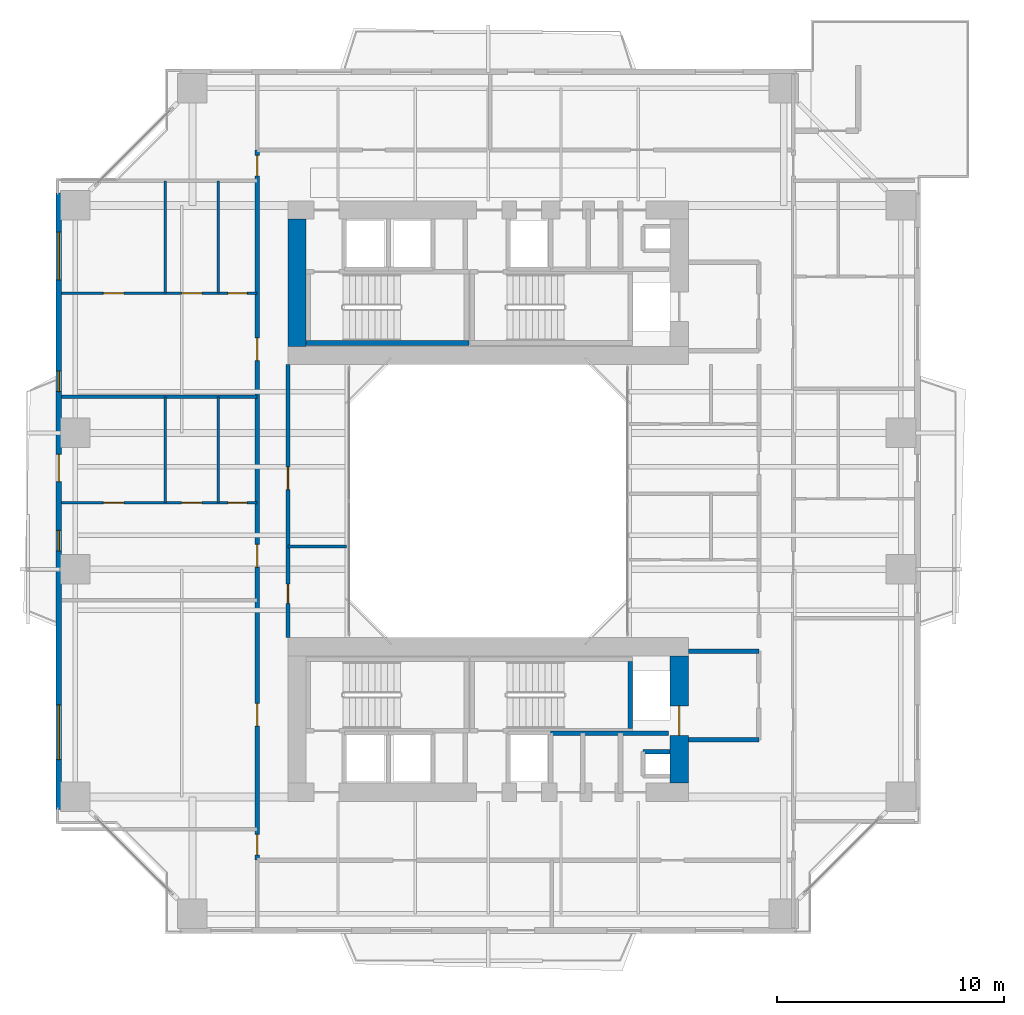
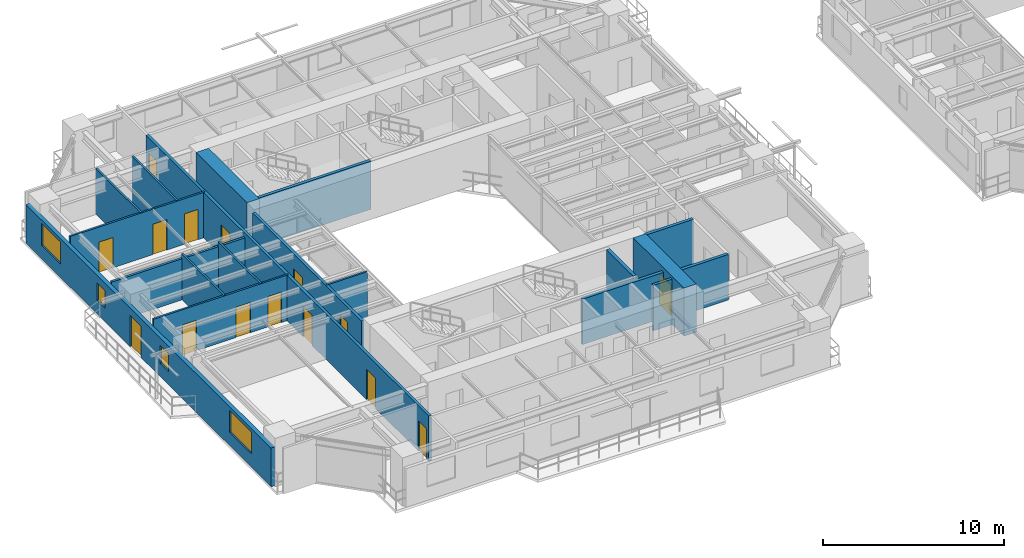
# One storey, part 13 of 23: 19 walls, 15 doors, 4 windows, 19 openings.
"""IFC4 building model written with IfcOpenShell, lengths in metres."""

from ifc_helpers import new_model, si_unit, direction, frame, frame_2d, origin, place, context, subcontext, project, spatial, rectangle, extrude, source, transform, mapped, material, layer, layer_set, type_object, element, fill, save


model = new_model("IFC4")

# Units and contexts
model_context = context("Model", 3, precision=1e-05, world=origin(), true_north=direction((0.0, 1.0)))
body_context = subcontext(model_context, "Body", "Model", "MODEL_VIEW")
ifc_project = project(units=[si_unit("LENGTHUNIT", "METRE"), si_unit("AREAUNIT", "SQUARE_METRE"), si_unit("VOLUMEUNIT", "CUBIC_METRE"), si_unit("PLANEANGLEUNIT", "RADIAN"), si_unit("MASSUNIT", "GRAM", prefix="KILO"), si_unit("THERMODYNAMICTEMPERATUREUNIT", "KELVIN"), si_unit("POWERUNIT", "WATT")], contexts=[model_context])

# Site, building, storey
site_placement = place(None, origin())
site = spatial("IfcSite", under=ifc_project, at=site_placement, CompositionType="ELEMENT")
building_placement = place(site_placement, origin())
building = spatial("IfcBuilding", under=site, at=building_placement, Name="Qiaomeng Ring Towers", CompositionType="ELEMENT")
storey_placement = place(building_placement, frame((0.0, 0.0, 82.75)))
storey = spatial("IfcBuildingStorey", under=building, at=storey_placement, Name="L23", CompositionType="ELEMENT", Elevation=82.75)

# Wall, openings, windows, door
ifc_material_1 = material(Name="Precast concrete C40", Category="concrete")
ifc_layer_1 = layer(ifc_material_1, 0.25, Name="Precast concrete C40")
ifc_layer_set_1 = layer_set([ifc_layer_1], Name="Precast concrete C40")
wall_type_1 = type_object("IfcWallType", Name="ARC-WL-EW1", PredefinedType="STANDARD", material=ifc_layer_set_1)
wall_1_placement = place(storey_placement, frame((0.125, 9.449951171875, 0.0), z_axis=(0.0, 0.0, 1.0), x_axis=(0.0, 1.0, 0.0)))
wall_1 = element("IfcWall", 1, at=wall_1_placement, inside=storey, type_object=wall_type_1, Name="L23 Tower 1 W Exterior Wall", PredefinedType="STANDARD", context=body_context, shape_type="SweptSolid", body=[
    extrude(rectangle(XDim=27.10009765625, YDim=0.25, at=frame_2d((13.550048828125, 0.0))), origin(), (0.0, 0.0, 1.0), 2.610107421875),
])
opening_1_placement = place(wall_1_placement, frame((14.39990234375, 0.0, 0.0)))
opening_1 = element("IfcOpeningElement", 2, at=opening_1_placement, cuts=wall_1, Name="Opening BD1", PredefinedType="OPENING", context=body_context, shape_type="SweptSolid", body=[
    extrude(rectangle(XDim=1.199951171875, YDim=2.10009765625, at=frame_2d((0.60009765625, 1.050048828125))), frame((0.0, 0.135009765625, 0.0), z_axis=(0.0, -1.0, 0.0), x_axis=(1.0, 0.0, 0.0)), (0.0, 0.0, 1.0), 0.27001953125),
])
opening_2_placement = place(wall_1_placement, frame((2.18798828125, 0.0, 0.89990234375)))
opening_2 = element("IfcOpeningElement", 3, at=opening_2_placement, cuts=wall_1, Name="Opening WN6", PredefinedType="OPENING", context=body_context, shape_type="SweptSolid", body=[
    extrude(rectangle(XDim=2.39990234375, YDim=1.47998046875, at=frame_2d((1.199951171875, 0.739990234375))), frame((0.0, 0.135009765625, 0.0), z_axis=(0.0, -1.0, 0.0), x_axis=(1.0, 0.0, 0.0)), (0.0, 0.0, 1.0), 0.27001953125),
])
opening_3_placement = place(wall_1_placement, frame((23.2724609375, 0.0, 0.89990234375)))
opening_3 = element("IfcOpeningElement", 4, at=opening_3_placement, cuts=wall_1, Name="Opening WN4", PredefinedType="OPENING", context=body_context, shape_type="SweptSolid", body=[
    extrude(rectangle(XDim=2.10009765625, YDim=1.5, at=frame_2d((1.050048828125, 0.75))), frame((0.0, 0.135009765625, 0.0), z_axis=(0.0, -1.0, 0.0), x_axis=(1.0, 0.0, 0.0)), (0.0, 0.0, 1.0), 0.27001953125),
])
opening_4_placement = place(wall_1_placement, frame((11.364990234375, 0.0, 0.89990234375)))
opening_4 = element("IfcOpeningElement", 5, at=opening_4_placement, cuts=wall_1, Name="Opening WN5", PredefinedType="OPENING", context=body_context, shape_type="SweptSolid", body=[
    extrude(rectangle(XDim=0.89990234375, YDim=1.199951171875, at=frame_2d((0.449951171875, 0.60009765625))), frame((0.0, 0.135009765625, 0.0), z_axis=(0.0, -1.0, 0.0), x_axis=(1.0, 0.0, 0.0)), (0.0, 0.0, 1.0), 0.27001953125),
])
opening_5_placement = place(wall_1_placement, frame((18.364990234375, 0.0, 0.89990234375)))
opening_5 = element("IfcOpeningElement", 6, at=opening_5_placement, cuts=wall_1, Name="Opening WN5", PredefinedType="OPENING", context=body_context, shape_type="SweptSolid", body=[
    extrude(rectangle(XDim=0.89990234375, YDim=1.199951171875, at=frame_2d((0.449951171875, 0.60009765625))), frame((0.0, 0.135009765625, 0.0), z_axis=(0.0, -1.0, 0.0), x_axis=(1.0, 0.0, 0.0)), (0.0, 0.0, 1.0), 0.27001953125),
])
ifc_material_2 = material(Name="Low-E dark-grey laminated double glazing", Category="glass")
window_type_1 = type_object("IfcWindowType", Name="ARC-WN-4", PartitioningType="TRIPLE_PANEL_VERTICAL", PredefinedType="WINDOW", material=ifc_material_2)
shared_shape_1 = source(origin(), body_context, "Body", "SweptSolid", [
    extrude(rectangle(XDim=2.10009765625, YDim=1.5, at=frame_2d((1.050048828125, 0.75))), frame((0.0, 0.030029296875, 0.0), z_axis=(0.0, -1.0, 0.0), x_axis=(1.0, 0.0, 0.0)), (0.0, 0.0, 1.0), 0.06005859375),
])
window_1_placement = place(opening_3_placement, origin())
window_1 = element("IfcWindow", 7, at=window_1_placement, inside=storey, type_object=window_type_1, Name="L23 Exterior Window WN4", OverallHeight=1.5, OverallWidth=2.10009765625, PartitioningType="TRIPLE_PANEL_VERTICAL", PredefinedType="WINDOW", context=body_context, shape_type="MappedRepresentation", body=[
    mapped(shared_shape_1, transform((0.0, 0.0, 0.0), x_axis=(1.0, 0.0, 0.0), y_axis=(0.0, 1.0, 0.0), z_axis=(0.0, 0.0, 1.0), scale=1.0)),
])
fill(opening_3, window_1)
window_type_2 = type_object("IfcWindowType", Name="ARC-WN-6", PartitioningType="TRIPLE_PANEL_VERTICAL", PredefinedType="WINDOW", material=ifc_material_2)
shared_shape_2 = source(origin(), body_context, "Body", "SweptSolid", [
    extrude(rectangle(XDim=2.39990234375, YDim=1.47998046875, at=frame_2d((1.199951171875, 0.739990234375))), frame((0.0, 0.030029296875, 0.0), z_axis=(0.0, -1.0, 0.0), x_axis=(1.0, 0.0, 0.0)), (0.0, 0.0, 1.0), 0.06005859375),
])
window_2_placement = place(opening_2_placement, origin())
window_2 = element("IfcWindow", 8, at=window_2_placement, inside=storey, type_object=window_type_2, Name="L23 Exterior Window WN6", OverallHeight=1.47998046875, OverallWidth=2.39990234375, PartitioningType="TRIPLE_PANEL_VERTICAL", PredefinedType="WINDOW", context=body_context, shape_type="MappedRepresentation", body=[
    mapped(shared_shape_2, transform((0.0, 0.0, 0.0), x_axis=(1.0, 0.0, 0.0), y_axis=(0.0, 1.0, 0.0), z_axis=(0.0, 0.0, 1.0), scale=1.0)),
])
fill(opening_2, window_2)
door_type_1 = type_object("IfcDoorType", Name="ARC-DR-BD1", OperationType="NOTDEFINED", PredefinedType="DOOR", material=ifc_material_2)
shared_shape_3 = source(origin(), body_context, "Body", "SweptSolid", [
    extrude(rectangle(XDim=1.199951171875, YDim=2.10009765625, at=frame_2d((0.60009765625, 1.050048828125))), frame((0.0, 0.02490234375, 0.0), z_axis=(0.0, -1.0, 0.0), x_axis=(1.0, 0.0, 0.0)), (0.0, 0.0, 1.0), 0.050048828125),
])
door_1_placement = place(opening_1_placement, frame((1.199951171875, 0.0, 0.0), z_axis=(0.0, 0.0, 1.0), x_axis=(-1.0, 0.0, 0.0)))
door_1 = element("IfcDoor", 9, at=door_1_placement, inside=storey, type_object=door_type_1, Name="L23 W Balcony Glazed Door", OperationType="SINGLE_SWING_LEFT", OverallHeight=2.10009765625, OverallWidth=1.199951171875, PredefinedType="DOOR", context=body_context, shape_type="MappedRepresentation", body=[
    mapped(shared_shape_3, transform((0.0, 0.0, 0.0), x_axis=(1.0, 0.0, 0.0), y_axis=(0.0, 1.0, 0.0), z_axis=(0.0, 0.0, 1.0), scale=1.0)),
])
fill(opening_1, door_1)
window_type_3 = type_object("IfcWindowType", Name="ARC-WN-5", PartitioningType="SINGLE_PANEL", PredefinedType="WINDOW", material=ifc_material_2)
shared_shape_4 = source(origin(), body_context, "Body", "SweptSolid", [
    extrude(rectangle(XDim=0.89990234375, YDim=1.199951171875, at=frame_2d((0.449951171875, 0.60009765625))), frame((0.0, 0.030029296875, 0.0), z_axis=(0.0, -1.0, 0.0), x_axis=(1.0, 0.0, 0.0)), (0.0, 0.0, 1.0), 0.06005859375),
])
window_3_placement = place(opening_4_placement, origin())
window_3 = element("IfcWindow", 10, at=window_3_placement, inside=storey, type_object=window_type_3, Name="L23 Exterior Window WN5", OverallHeight=1.199951171875, OverallWidth=0.89990234375, PartitioningType="SINGLE_PANEL", PredefinedType="WINDOW", context=body_context, shape_type="MappedRepresentation", body=[
    mapped(shared_shape_4, transform((0.0, 0.0, 0.0), x_axis=(1.0, 0.0, 0.0), y_axis=(0.0, 1.0, 0.0), z_axis=(0.0, 0.0, 1.0), scale=1.0)),
])
fill(opening_4, window_3)
window_4_placement = place(opening_5_placement, origin())
window_4 = element("IfcWindow", 11, at=window_4_placement, inside=storey, type_object=window_type_3, Name="L23 Exterior Window WN5", OverallHeight=1.199951171875, OverallWidth=0.89990234375, PartitioningType="SINGLE_PANEL", PredefinedType="WINDOW", context=body_context, shape_type="MappedRepresentation", body=[
    mapped(shared_shape_4, transform((0.0, 0.0, 0.0), x_axis=(1.0, 0.0, 0.0), y_axis=(0.0, 1.0, 0.0), z_axis=(0.0, 0.0, 1.0), scale=1.0)),
])
fill(opening_5, window_4)

# Walls
ifc_material_3 = material(Name="Autoclaved aerated concrete block", Category="concrete")
ifc_layer_2 = layer(ifc_material_3, 0.199951171875, Name="Autoclaved aerated concrete block")
ifc_layer_set_2 = layer_set([ifc_layer_2], Name="Autoclaved aerated concrete block")
wall_type_2 = type_object("IfcWallType", Name="ARC-WL-PW1", PredefinedType="PARTITIONING", material=ifc_layer_set_2)
for number, where, z_axis, x_axis, name in (
    (12, (27.800048828125, 16.39990234375, 0.0), (0.0, 0.0, 1.0), (1.0, 0.0, 0.0), "L23 Interior Wall PW1"),
    (13, (27.800048828125, 12.5, 0.0), (0.0, 0.0, 1.0), (1.0, 0.0, 0.0), "L23 Interior Wall PW1"),
):
    element("IfcWall", number, at=place(storey_placement, frame(where, z_axis=z_axis, x_axis=x_axis)), inside=storey, type_object=wall_type_2, Name=name, PredefinedType="PARTITIONING", context=body_context, shape_type="SweptSolid", body=[
        extrude(rectangle(XDim=3.099853515625, YDim=0.199951171875, at=frame_2d((1.5498046875, 0.0))), origin(), (0.0, 0.0, 1.0), 3.070068359375),
    ])
wall_2_placement = place(storey_placement, frame((21.75, 12.800048828125, 0.0), z_axis=(0.0, 0.0, 1.0), x_axis=(1.0, 0.0, 0.0)))
element("IfcWall", 14, at=wall_2_placement, inside=storey, type_object=wall_type_2, Name="L23 Interior Wall PW1", PredefinedType="PARTITIONING", context=body_context, shape_type="SweptSolid", body=[
    extrude(rectangle(XDim=5.169921875, YDim=0.199951171875, at=frame_2d((2.5849609375, 0.0))), origin(), (0.0, 0.0, 1.0), 3.070068359375),
])

# Wall, openings, doors
ifc_layer_3 = layer(ifc_material_3, 0.179931640625, Name="Autoclaved aerated concrete block")
ifc_layer_set_3 = layer_set([ifc_layer_3], Name="Autoclaved aerated concrete block")
wall_type_3 = type_object("IfcWallType", Name="ARC-WL-PW2", PredefinedType="PARTITIONING", material=ifc_layer_set_3)
wall_3_placement = place(storey_placement, frame((8.85009765625, 7.2099609375, 0.0), z_axis=(0.0, 0.0, 1.0), x_axis=(0.0, 1.0, 0.0)))
wall_3 = element("IfcWall", 15, at=wall_3_placement, inside=storey, type_object=wall_type_3, Name="L23 Interior Wall PW2", PredefinedType="PARTITIONING", context=body_context, shape_type="SweptSolid", body=[
    extrude(rectangle(XDim=31.22998046875, YDim=0.179931640625, at=frame_2d((15.614990234375, 0.0))), origin(), (0.0, 0.0, 1.0), 3.070068359375),
])
opening_6_placement = place(wall_3_placement, frame((30.090087890625, 0.0, 0.0)))
opening_6 = element("IfcOpeningElement", 16, at=opening_6_placement, cuts=wall_3, Name="Opening ID1", PredefinedType="OPENING", context=body_context, shape_type="SweptSolid", body=[
    extrude(rectangle(XDim=0.89990234375, YDim=2.050048828125, at=frame_2d((0.449951171875, 1.02490234375))), frame((0.0, 0.099853515625, 0.0), z_axis=(0.0, -1.0, 0.0), x_axis=(1.0, 0.0, 0.0)), (0.0, 0.0, 1.0), 0.199951171875),
])
opening_7_placement = place(wall_3_placement, frame((0.239990234375, 0.0, 0.0)))
opening_7 = element("IfcOpeningElement", 17, at=opening_7_placement, cuts=wall_3, Name="Opening ID1", PredefinedType="OPENING", context=body_context, shape_type="SweptSolid", body=[
    extrude(rectangle(XDim=0.89990234375, YDim=2.050048828125, at=frame_2d((0.449951171875, 1.02490234375))), frame((0.0, 0.099853515625, 0.0), z_axis=(0.0, -1.0, 0.0), x_axis=(1.0, 0.0, 0.0)), (0.0, 0.0, 1.0), 0.199951171875),
])
opening_8_placement = place(wall_3_placement, frame((5.89501953125, 0.0, 0.0)))
opening_8 = element("IfcOpeningElement", 18, at=opening_8_placement, cuts=wall_3, Name="Opening FD4", PredefinedType="OPENING", context=body_context, shape_type="SweptSolid", body=[
    extrude(rectangle(XDim=1.0, YDim=2.050048828125, at=frame_2d((0.5, 1.02490234375))), frame((0.0, 0.099853515625, 0.0), z_axis=(0.0, -1.0, 0.0), x_axis=(1.0, 0.0, 0.0)), (0.0, 0.0, 1.0), 0.199951171875),
])
opening_9_placement = place(wall_3_placement, frame((12.885009765625, 0.0, 0.0)))
opening_9 = element("IfcOpeningElement", 19, at=opening_9_placement, cuts=wall_3, Name="Opening FD4", PredefinedType="OPENING", context=body_context, shape_type="SweptSolid", body=[
    extrude(rectangle(XDim=1.0, YDim=2.050048828125, at=frame_2d((0.5, 1.02490234375))), frame((0.0, 0.099853515625, 0.0), z_axis=(0.0, -1.0, 0.0), x_axis=(1.0, 0.0, 0.0)), (0.0, 0.0, 1.0), 0.199951171875),
])
opening_10_placement = place(wall_3_placement, frame((21.9599609375, 0.0, 0.0)))
opening_10 = element("IfcOpeningElement", 20, at=opening_10_placement, cuts=wall_3, Name="Opening FD4", PredefinedType="OPENING", context=body_context, shape_type="SweptSolid", body=[
    extrude(rectangle(XDim=1.0, YDim=2.050048828125, at=frame_2d((0.5, 1.02490234375))), frame((0.0, 0.099853515625, 0.0), z_axis=(0.0, -1.0, 0.0), x_axis=(1.0, 0.0, 0.0)), (0.0, 0.0, 1.0), 0.199951171875),
])
ifc_material_4 = material(Name="Engineered fire-rated oak timber", Category="wood")
door_type_2 = type_object("IfcDoorType", Name="ARC-DR-FD4", OperationType="NOTDEFINED", PredefinedType="DOOR", material=ifc_material_4)
shared_shape_5 = source(origin(), body_context, "Body", "SweptSolid", [
    extrude(rectangle(XDim=1.0, YDim=2.050048828125, at=frame_2d((0.5, 1.02490234375))), frame((0.0, 0.02490234375, 0.0), z_axis=(0.0, -1.0, 0.0), x_axis=(1.0, 0.0, 0.0)), (0.0, 0.0, 1.0), 0.050048828125),
])
door_2_placement = place(opening_8_placement, origin())
door_2 = element("IfcDoor", 21, at=door_2_placement, inside=storey, type_object=door_type_2, Name="L23 Door FD4", OperationType="SINGLE_SWING_LEFT", OverallHeight=2.050048828125, OverallWidth=1.0, PredefinedType="DOOR", context=body_context, shape_type="MappedRepresentation", body=[
    mapped(shared_shape_5, transform((0.0, 0.0, 0.0), x_axis=(1.0, 0.0, 0.0), y_axis=(0.0, 1.0, 0.0), z_axis=(0.0, 0.0, 1.0), scale=1.0)),
])
fill(opening_8, door_2)
door_3_placement = place(opening_9_placement, origin())
door_3 = element("IfcDoor", 22, at=door_3_placement, inside=storey, type_object=door_type_2, Name="L23 Door FD4", OperationType="SINGLE_SWING_LEFT", OverallHeight=2.050048828125, OverallWidth=1.0, PredefinedType="DOOR", context=body_context, shape_type="MappedRepresentation", body=[
    mapped(shared_shape_5, transform((0.0, 0.0, 0.0), x_axis=(1.0, 0.0, 0.0), y_axis=(0.0, 1.0, 0.0), z_axis=(0.0, 0.0, 1.0), scale=1.0)),
])
fill(opening_9, door_3)
door_4_placement = place(opening_10_placement, origin())
door_4 = element("IfcDoor", 23, at=door_4_placement, inside=storey, type_object=door_type_2, Name="L23 Door FD4", OperationType="SINGLE_SWING_LEFT", OverallHeight=2.050048828125, OverallWidth=1.0, PredefinedType="DOOR", context=body_context, shape_type="MappedRepresentation", body=[
    mapped(shared_shape_5, transform((0.0, 0.0, 0.0), x_axis=(1.0, 0.0, 0.0), y_axis=(0.0, 1.0, 0.0), z_axis=(0.0, 0.0, 1.0), scale=1.0)),
])
fill(opening_10, door_4)
ifc_material_5 = material(Name="Engineered oak timber", Category="wood")
door_type_3 = type_object("IfcDoorType", Name="ARC-DR-ID1", OperationType="NOTDEFINED", PredefinedType="DOOR", material=ifc_material_5)
shared_shape_6 = source(origin(), body_context, "Body", "SweptSolid", [
    extrude(rectangle(XDim=0.89990234375, YDim=2.050048828125, at=frame_2d((0.449951171875, 1.02490234375))), frame((0.0, 0.02490234375, 0.0), z_axis=(0.0, -1.0, 0.0), x_axis=(1.0, 0.0, 0.0)), (0.0, 0.0, 1.0), 0.050048828125),
])
door_5_placement = place(opening_6_placement, origin())
door_5 = element("IfcDoor", 24, at=door_5_placement, inside=storey, type_object=door_type_3, Name="L23 Door ID1", OperationType="SINGLE_SWING_LEFT", OverallHeight=2.050048828125, OverallWidth=0.89990234375, PredefinedType="DOOR", context=body_context, shape_type="MappedRepresentation", body=[
    mapped(shared_shape_6, transform((0.0, 0.0, 0.0), x_axis=(1.0, 0.0, 0.0), y_axis=(0.0, 1.0, 0.0), z_axis=(0.0, 0.0, 1.0), scale=1.0)),
])
fill(opening_6, door_5)
door_6_placement = place(opening_7_placement, origin())
door_6 = element("IfcDoor", 25, at=door_6_placement, inside=storey, type_object=door_type_3, Name="L23 Door ID1", OperationType="SINGLE_SWING_RIGHT", OverallHeight=2.050048828125, OverallWidth=0.89990234375, PredefinedType="DOOR", context=body_context, shape_type="MappedRepresentation", body=[
    mapped(shared_shape_6, transform((0.0, 0.0, 0.0), x_axis=(1.0, 0.0, 0.0), y_axis=(0.0, 1.0, 0.0), z_axis=(0.0, 0.0, 1.0), scale=1.0)),
])
fill(opening_7, door_6)

wall_4_placement = place(storey_placement, frame((10.199951171875, 17.0, 0.0), z_axis=(0.0, 0.0, 1.0), x_axis=(0.0, 1.0, 0.0)))
wall_4 = element("IfcWall", 26, at=wall_4_placement, inside=storey, type_object=wall_type_3, Name="L23 Interior Wall PW2", PredefinedType="PARTITIONING", context=body_context, shape_type="SweptSolid", body=[
    extrude(rectangle(XDim=12.0, YDim=0.179931640625, at=frame_2d((6.0, 0.0))), origin(), (0.0, 0.0, 1.0), 3.070068359375),
])
opening_11_placement = place(wall_4_placement, frame((1.5, 0.0, 0.0)))
opening_11 = element("IfcOpeningElement", 27, at=opening_11_placement, cuts=wall_4, Name="Opening ID2", PredefinedType="OPENING", context=body_context, shape_type="SweptSolid", body=[
    extrude(rectangle(XDim=0.85009765625, YDim=2.050048828125, at=frame_2d((0.425048828125, 1.02490234375))), frame((0.0, 0.099853515625, 0.0), z_axis=(0.0, -1.0, 0.0), x_axis=(1.0, 0.0, 0.0)), (0.0, 0.0, 1.0), 0.199951171875),
])
opening_12_placement = place(wall_4_placement, frame((6.5, 0.0, 0.0)))
opening_12 = element("IfcOpeningElement", 28, at=opening_12_placement, cuts=wall_4, Name="Opening FD4", PredefinedType="OPENING", context=body_context, shape_type="SweptSolid", body=[
    extrude(rectangle(XDim=1.0, YDim=2.050048828125, at=frame_2d((0.5, 1.02490234375))), frame((0.0, 0.099853515625, 0.0), z_axis=(0.0, -1.0, 0.0), x_axis=(1.0, 0.0, 0.0)), (0.0, 0.0, 1.0), 0.199951171875),
])
door_7_placement = place(opening_12_placement, origin())
door_7 = element("IfcDoor", 29, at=door_7_placement, inside=storey, type_object=door_type_2, Name="L23 Door FD4", OperationType="SINGLE_SWING_LEFT", OverallHeight=2.050048828125, OverallWidth=1.0, PredefinedType="DOOR", context=body_context, shape_type="MappedRepresentation", body=[
    mapped(shared_shape_5, transform((0.0, 0.0, 0.0), x_axis=(1.0, 0.0, 0.0), y_axis=(0.0, 1.0, 0.0), z_axis=(0.0, 0.0, 1.0), scale=1.0)),
])
fill(opening_12, door_7)
ifc_material_6 = material(Name="Moisture-resistant engineered timber", Category="wood")
door_type_4 = type_object("IfcDoorType", Name="ARC-DR-ID2", OperationType="NOTDEFINED", PredefinedType="DOOR", material=ifc_material_6)
shared_shape_7 = source(origin(), body_context, "Body", "SweptSolid", [
    extrude(rectangle(XDim=0.85009765625, YDim=2.050048828125, at=frame_2d((0.425048828125, 1.02490234375))), frame((0.0, 0.02490234375, 0.0), z_axis=(0.0, -1.0, 0.0), x_axis=(1.0, 0.0, 0.0)), (0.0, 0.0, 1.0), 0.050048828125),
])
door_8_placement = place(opening_11_placement, origin())
door_8 = element("IfcDoor", 30, at=door_8_placement, inside=storey, type_object=door_type_4, Name="L23 Door ID2", OperationType="SINGLE_SWING_RIGHT", OverallHeight=2.050048828125, OverallWidth=0.85009765625, PredefinedType="DOOR", context=body_context, shape_type="MappedRepresentation", body=[
    mapped(shared_shape_7, transform((0.0, 0.0, 0.0), x_axis=(1.0, 0.0, 0.0), y_axis=(0.0, 1.0, 0.0), z_axis=(0.0, 0.0, 1.0), scale=1.0)),
])
fill(opening_11, door_8)

# Wall
ifc_material_7 = material(Name="Gypsum fireboard steel-stud partition", Category="steel")
ifc_layer_4 = layer(ifc_material_7, 0.14990234375, Name="Gypsum fireboard steel-stud partition")
ifc_layer_set_4 = layer_set([ifc_layer_4], Name="Gypsum fireboard steel-stud partition")
wall_type_4 = type_object("IfcWallType", Name="ARC-WL-PW3", PredefinedType="PARTITIONING", material=ifc_layer_set_4)
wall_5_placement = place(storey_placement, frame((0.25, 27.580078125, 0.0), z_axis=(0.0, 0.0, 1.0), x_axis=(1.0, 0.0, 0.0)))
element("IfcWall", 31, at=wall_5_placement, inside=storey, type_object=wall_type_4, Name="L23 Interior Wall PW3", PredefinedType="PARTITIONING", context=body_context, shape_type="SweptSolid", body=[
    extrude(rectangle(XDim=8.60009765625, YDim=0.14990234375, at=frame_2d((4.300048828125, 0.0))), origin(), (0.0, 0.0, 1.0), 2.77099609375),
])

# Wall, openings, doors
ifc_material_8 = material(Name="Moisture-resistant gypsum steel-stud partition", Category="steel")
ifc_layer_5 = layer(ifc_material_8, 0.1201171875, Name="Moisture-resistant gypsum steel-stud partition")
ifc_layer_set_5 = layer_set([ifc_layer_5], Name="Moisture-resistant gypsum steel-stud partition")
wall_type_5 = type_object("IfcWallType", Name="ARC-WL-PW4", PredefinedType="PLUMBINGWALL", material=ifc_layer_set_5)
wall_6_placement = place(storey_placement, frame((0.25, 22.929931640625, 0.0), z_axis=(0.0, 0.0, 1.0), x_axis=(1.0, 0.0, 0.0)))
wall_6 = element("IfcWall", 32, at=wall_6_placement, inside=storey, type_object=wall_type_5, Name="L23 Interior Wall PW4", PredefinedType="PLUMBINGWALL", context=body_context, shape_type="SweptSolid", body=[
    extrude(rectangle(XDim=8.60009765625, YDim=0.1201171875, at=frame_2d((4.300048828125, 0.0))), origin(), (0.0, 0.0, 1.0), 3.070068359375),
])
opening_13_placement = place(wall_6_placement, frame((1.840087890625, 0.0, 0.0)))
opening_13 = element("IfcOpeningElement", 33, at=opening_13_placement, cuts=wall_6, Name="Opening ID1", PredefinedType="OPENING", context=body_context, shape_type="SweptSolid", body=[
    extrude(rectangle(XDim=0.89990234375, YDim=2.050048828125, at=frame_2d((0.449951171875, 1.02490234375))), frame((0.0, 0.070068359375, 0.0), z_axis=(0.0, -1.0, 0.0), x_axis=(1.0, 0.0, 0.0)), (0.0, 0.0, 1.0), 0.14013671875),
])
opening_14_placement = place(wall_6_placement, frame((5.27001953125, 0.0, 0.0)))
opening_14 = element("IfcOpeningElement", 34, at=opening_14_placement, cuts=wall_6, Name="Opening ID1", PredefinedType="OPENING", context=body_context, shape_type="SweptSolid", body=[
    extrude(rectangle(XDim=0.89990234375, YDim=2.050048828125, at=frame_2d((0.449951171875, 1.02490234375))), frame((0.0, 0.070068359375, 0.0), z_axis=(0.0, -1.0, 0.0), x_axis=(1.0, 0.0, 0.0)), (0.0, 0.0, 1.0), 0.14013671875),
])
opening_15_placement = place(wall_6_placement, frame((7.304931640625, 0.0, 0.0)))
opening_15 = element("IfcOpeningElement", 35, at=opening_15_placement, cuts=wall_6, Name="Opening ID2", PredefinedType="OPENING", context=body_context, shape_type="SweptSolid", body=[
    extrude(rectangle(XDim=0.85009765625, YDim=2.050048828125, at=frame_2d((0.425048828125, 1.02490234375))), frame((0.0, 0.070068359375, 0.0), z_axis=(0.0, -1.0, 0.0), x_axis=(1.0, 0.0, 0.0)), (0.0, 0.0, 1.0), 0.14013671875),
])
door_9_placement = place(opening_15_placement, origin())
door_9 = element("IfcDoor", 36, at=door_9_placement, inside=storey, type_object=door_type_4, Name="L23 Door ID2", OperationType="SINGLE_SWING_RIGHT", OverallHeight=2.050048828125, OverallWidth=0.85009765625, PredefinedType="DOOR", context=body_context, shape_type="MappedRepresentation", body=[
    mapped(shared_shape_7, transform((0.0, 0.0, 0.0), x_axis=(1.0, 0.0, 0.0), y_axis=(0.0, 1.0, 0.0), z_axis=(0.0, 0.0, 1.0), scale=1.0)),
])
fill(opening_15, door_9)
door_10_placement = place(opening_13_placement, origin())
door_10 = element("IfcDoor", 37, at=door_10_placement, inside=storey, type_object=door_type_3, Name="L23 Door ID1", OperationType="SINGLE_SWING_RIGHT", OverallHeight=2.050048828125, OverallWidth=0.89990234375, PredefinedType="DOOR", context=body_context, shape_type="MappedRepresentation", body=[
    mapped(shared_shape_6, transform((0.0, 0.0, 0.0), x_axis=(1.0, 0.0, 0.0), y_axis=(0.0, 1.0, 0.0), z_axis=(0.0, 0.0, 1.0), scale=1.0)),
])
fill(opening_13, door_10)
door_11_placement = place(opening_14_placement, origin())
door_11 = element("IfcDoor", 38, at=door_11_placement, inside=storey, type_object=door_type_3, Name="L23 Door ID1", OperationType="SINGLE_SWING_LEFT", OverallHeight=2.050048828125, OverallWidth=0.89990234375, PredefinedType="DOOR", context=body_context, shape_type="MappedRepresentation", body=[
    mapped(shared_shape_6, transform((0.0, 0.0, 0.0), x_axis=(1.0, 0.0, 0.0), y_axis=(0.0, 1.0, 0.0), z_axis=(0.0, 0.0, 1.0), scale=1.0)),
])
fill(opening_14, door_11)

# Walls
for number, where, z_axis, x_axis, name in (
    (39, (4.81005859375, 22.929931640625, 0.0), (0.0, 0.0, 1.0), (0.0, 1.0, 0.0), "L23 Interior Wall PW4"),
    (40, (7.1298828125, 22.929931640625, 0.0), (0.0, 0.0, 1.0), (0.0, 1.0, 0.0), "L23 Interior Wall PW4"),
):
    element("IfcWall", number, at=place(storey_placement, frame(where, z_axis=z_axis, x_axis=x_axis)), inside=storey, type_object=wall_type_5, Name=name, PredefinedType="PLUMBINGWALL", context=body_context, shape_type="SweptSolid", body=[
        extrude(rectangle(XDim=4.650146484375, YDim=0.1201171875, at=frame_2d((2.3251953125, 0.0))), origin(), (0.0, 0.0, 1.0), 3.070068359375),
    ])

# Wall, openings, doors
wall_7_placement = place(storey_placement, frame((0.25, 32.139892578125, 0.0), z_axis=(0.0, 0.0, 1.0), x_axis=(1.0, 0.0, 0.0)))
wall_7 = element("IfcWall", 41, at=wall_7_placement, inside=storey, type_object=wall_type_5, Name="L23 Interior Wall PW4", PredefinedType="PLUMBINGWALL", context=body_context, shape_type="SweptSolid", body=[
    extrude(rectangle(XDim=8.60009765625, YDim=0.1201171875, at=frame_2d((4.300048828125, 0.0))), origin(), (0.0, 0.0, 1.0), 3.070068359375),
])
opening_16_placement = place(wall_7_placement, frame((1.840087890625, 0.0, 0.0)))
opening_16 = element("IfcOpeningElement", 42, at=opening_16_placement, cuts=wall_7, Name="Opening ID1", PredefinedType="OPENING", context=body_context, shape_type="SweptSolid", body=[
    extrude(rectangle(XDim=0.89990234375, YDim=2.050048828125, at=frame_2d((0.449951171875, 1.02490234375))), frame((0.0, 0.070068359375, 0.0), z_axis=(0.0, -1.0, 0.0), x_axis=(1.0, 0.0, 0.0)), (0.0, 0.0, 1.0), 0.14013671875),
])
opening_17_placement = place(wall_7_placement, frame((5.27001953125, 0.0, 0.0)))
opening_17 = element("IfcOpeningElement", 43, at=opening_17_placement, cuts=wall_7, Name="Opening ID1", PredefinedType="OPENING", context=body_context, shape_type="SweptSolid", body=[
    extrude(rectangle(XDim=0.89990234375, YDim=2.050048828125, at=frame_2d((0.449951171875, 1.02490234375))), frame((0.0, 0.070068359375, 0.0), z_axis=(0.0, -1.0, 0.0), x_axis=(1.0, 0.0, 0.0)), (0.0, 0.0, 1.0), 0.14013671875),
])
opening_18_placement = place(wall_7_placement, frame((7.304931640625, 0.0, 0.0)))
opening_18 = element("IfcOpeningElement", 44, at=opening_18_placement, cuts=wall_7, Name="Opening ID2", PredefinedType="OPENING", context=body_context, shape_type="SweptSolid", body=[
    extrude(rectangle(XDim=0.85009765625, YDim=2.050048828125, at=frame_2d((0.425048828125, 1.02490234375))), frame((0.0, 0.070068359375, 0.0), z_axis=(0.0, -1.0, 0.0), x_axis=(1.0, 0.0, 0.0)), (0.0, 0.0, 1.0), 0.14013671875),
])
door_12_placement = place(opening_18_placement, origin())
door_12 = element("IfcDoor", 45, at=door_12_placement, inside=storey, type_object=door_type_4, Name="L23 Door ID2", OperationType="SINGLE_SWING_RIGHT", OverallHeight=2.050048828125, OverallWidth=0.85009765625, PredefinedType="DOOR", context=body_context, shape_type="MappedRepresentation", body=[
    mapped(shared_shape_7, transform((0.0, 0.0, 0.0), x_axis=(1.0, 0.0, 0.0), y_axis=(0.0, 1.0, 0.0), z_axis=(0.0, 0.0, 1.0), scale=1.0)),
])
fill(opening_18, door_12)
door_13_placement = place(opening_16_placement, origin())
door_13 = element("IfcDoor", 46, at=door_13_placement, inside=storey, type_object=door_type_3, Name="L23 Door ID1", OperationType="SINGLE_SWING_RIGHT", OverallHeight=2.050048828125, OverallWidth=0.89990234375, PredefinedType="DOOR", context=body_context, shape_type="MappedRepresentation", body=[
    mapped(shared_shape_6, transform((0.0, 0.0, 0.0), x_axis=(1.0, 0.0, 0.0), y_axis=(0.0, 1.0, 0.0), z_axis=(0.0, 0.0, 1.0), scale=1.0)),
])
fill(opening_16, door_13)
door_14_placement = place(opening_17_placement, origin())
door_14 = element("IfcDoor", 47, at=door_14_placement, inside=storey, type_object=door_type_3, Name="L23 Door ID1", OperationType="SINGLE_SWING_LEFT", OverallHeight=2.050048828125, OverallWidth=0.89990234375, PredefinedType="DOOR", context=body_context, shape_type="MappedRepresentation", body=[
    mapped(shared_shape_6, transform((0.0, 0.0, 0.0), x_axis=(1.0, 0.0, 0.0), y_axis=(0.0, 1.0, 0.0), z_axis=(0.0, 0.0, 1.0), scale=1.0)),
])
fill(opening_17, door_14)

# Walls
for number, where, z_axis, x_axis, name in (
    (48, (4.81005859375, 32.139892578125, 0.0), (0.0, 0.0, 1.0), (0.0, 1.0, 0.0), "L23 Interior Wall PW4"),
    (49, (7.1298828125, 32.139892578125, 0.0), (0.0, 0.0, 1.0), (0.0, 1.0, 0.0), "L23 Interior Wall PW4"),
):
    element("IfcWall", number, at=place(storey_placement, frame(where, z_axis=z_axis, x_axis=x_axis)), inside=storey, type_object=wall_type_5, Name=name, PredefinedType="PLUMBINGWALL", context=body_context, shape_type="SweptSolid", body=[
        extrude(rectangle(XDim=4.940185546875, YDim=0.1201171875, at=frame_2d((2.47021484375, 0.0))), origin(), (0.0, 0.0, 1.0), 3.070068359375),
    ])
wall_8_placement = place(storey_placement, frame((10.199951171875, 21.0, 0.0), z_axis=(0.0, 0.0, 1.0), x_axis=(1.0, 0.0, 0.0)))
element("IfcWall", 50, at=wall_8_placement, inside=storey, type_object=wall_type_5, Name="L23 Interior Wall PW4", PredefinedType="PLUMBINGWALL", context=body_context, shape_type="SweptSolid", body=[
    extrude(rectangle(XDim=2.580078125, YDim=0.1201171875, at=frame_2d((1.2900390625, 0.0))), origin(), (0.0, 0.0, 1.0), 3.070068359375),
])
ifc_material_9 = material(Name="Concrete C40", Category="concrete")
ifc_layer_6 = layer(ifc_material_9, 0.199951171875, Name="Concrete C40")
ifc_layer_set_6 = layer_set([ifc_layer_6], Name="Concrete C40")
wall_type_6 = type_object("IfcWallType", Name="STR-WL-STSHAFT", PredefinedType="SHEAR", material=ifc_layer_set_6)
wall_9_placement = place(storey_placement, frame((25.800048828125, 11.97998046875, 0.0), z_axis=(0.0, 0.0, 1.0), x_axis=(1.0, 0.0, 0.0)))
element("IfcWall", 51, at=wall_9_placement, inside=storey, type_object=wall_type_6, Name="L23 Riser RSR1 North Shaft Wall S", PredefinedType="SHEAR", context=body_context, shape_type="SweptSolid", body=[
    extrude(rectangle(XDim=1.199951171875, YDim=0.179931640625, at=frame_2d((0.60009765625, 0.0))), origin(), (0.0, 0.0, 1.0), 3.070068359375),
])
wall_10_placement = place(storey_placement, frame((11.0, 29.949951171875, 0.0), z_axis=(0.0, 0.0, 1.0), x_axis=(1.0, 0.0, 0.0)))
element("IfcWall", 52, at=wall_10_placement, inside=storey, type_object=wall_type_6, Name="L23 Stair ST1 South Shaft Shear Wall", PredefinedType="SHEAR", context=body_context, shape_type="SweptSolid", body=[
    extrude(rectangle(XDim=7.14990234375, YDim=0.199951171875, at=frame_2d((3.574951171875, 0.0))), origin(), (0.0, 0.0, 1.0), 3.25),
])
wall_11_placement = place(storey_placement, frame((25.25, 13.010009765625, 0.0), z_axis=(0.0, 0.0, 1.0), x_axis=(0.0, 1.0, 0.0)))
element("IfcWall", 53, at=wall_11_placement, inside=storey, type_object=wall_type_6, Name="L23 Stair ST4 East Shaft Shear Wall", PredefinedType="SHEAR", context=body_context, shape_type="SweptSolid", body=[
    extrude(rectangle(XDim=2.93994140625, YDim=0.199951171875, at=frame_2d((1.469970703125, 0.0))), origin(), (0.0, 0.0, 1.0), 3.25),
])
ifc_material_10 = material(Name="Concrete C60", Category="concrete")
ifc_layer_7 = layer(ifc_material_10, 0.800048828125, Name="Concrete C60")
ifc_layer_set_7 = layer_set([ifc_layer_7], Name="Concrete C60")
wall_type_7 = type_object("IfcWallType", Name="STR-WL-SW1", PredefinedType="SHEAR", material=ifc_layer_set_7)
wall_12_placement = place(storey_placement, frame((10.60009765625, 29.800048828125, 0.0), z_axis=(0.0, 0.0, 1.0), x_axis=(0.0, 1.0, 0.0)))
element("IfcWall", 54, at=wall_12_placement, inside=storey, type_object=wall_type_7, Name="L23 T1NC west core shear wall", PredefinedType="SHEAR", context=body_context, shape_type="SweptSolid", body=[
    extrude(rectangle(XDim=5.599853515625, YDim=0.800048828125, at=frame_2d((2.7998046875, 0.0))), origin(), (0.0, 0.0, 1.0), 3.25),
])

# Wall, opening, door
wall_13_placement = place(storey_placement, frame((27.39990234375, 10.60009765625, 0.0), z_axis=(0.0, 0.0, 1.0), x_axis=(0.0, 1.0, 0.0)))
wall_13 = element("IfcWall", 55, at=wall_13_placement, inside=storey, type_object=wall_type_7, Name="L23 T1SC east core shear wall", PredefinedType="SHEAR", context=body_context, shape_type="SweptSolid", body=[
    extrude(rectangle(XDim=5.599853515625, YDim=0.800048828125, at=frame_2d((2.7998046875, 0.0))), origin(), (0.0, 0.0, 1.0), 3.25),
])
opening_19_placement = place(wall_13_placement, frame((2.10009765625, 0.0, 0.0)))
opening_19 = element("IfcOpeningElement", 56, at=opening_19_placement, cuts=wall_13, Name="Opening LD2", PredefinedType="OPENING", context=body_context, shape_type="SweptSolid", body=[
    extrude(rectangle(XDim=1.300048828125, YDim=2.050048828125, at=frame_2d((0.64990234375, 1.02490234375))), frame((0.0, 0.409912109375, 0.0), z_axis=(0.0, -1.0, 0.0), x_axis=(1.0, 0.0, 0.0)), (0.0, 0.0, 1.0), 0.820068359375),
])
ifc_material_11 = material(Name="Stainless steel 316", Category="steel")
door_type_5 = type_object("IfcDoorType", Name="ARC-DR-LD2", OperationType="NOTDEFINED", PredefinedType="DOOR", material=ifc_material_11)
shared_shape_8 = source(origin(), body_context, "Body", "SweptSolid", [
    extrude(rectangle(XDim=1.300048828125, YDim=2.050048828125, at=frame_2d((0.64990234375, 1.02490234375))), frame((0.0, 0.02490234375, 0.0), z_axis=(0.0, -1.0, 0.0), x_axis=(1.0, 0.0, 0.0)), (0.0, 0.0, 1.0), 0.050048828125),
])
door_15_placement = place(opening_19_placement, origin())
door_15 = element("IfcDoor", 57, at=door_15_placement, inside=storey, type_object=door_type_5, Name="L23 Firefighting Lift FL2 Landing Door", OperationType="SLIDING_TO_RIGHT", OverallHeight=2.050048828125, OverallWidth=1.300048828125, PredefinedType="DOOR", context=body_context, shape_type="MappedRepresentation", body=[
    mapped(shared_shape_8, transform((0.0, 0.0, 0.0), x_axis=(1.0, 0.0, 0.0), y_axis=(0.0, 1.0, 0.0), z_axis=(0.0, 0.0, 1.0), scale=1.0)),
])
fill(opening_19, door_15)

save(model, "model.ifc")
